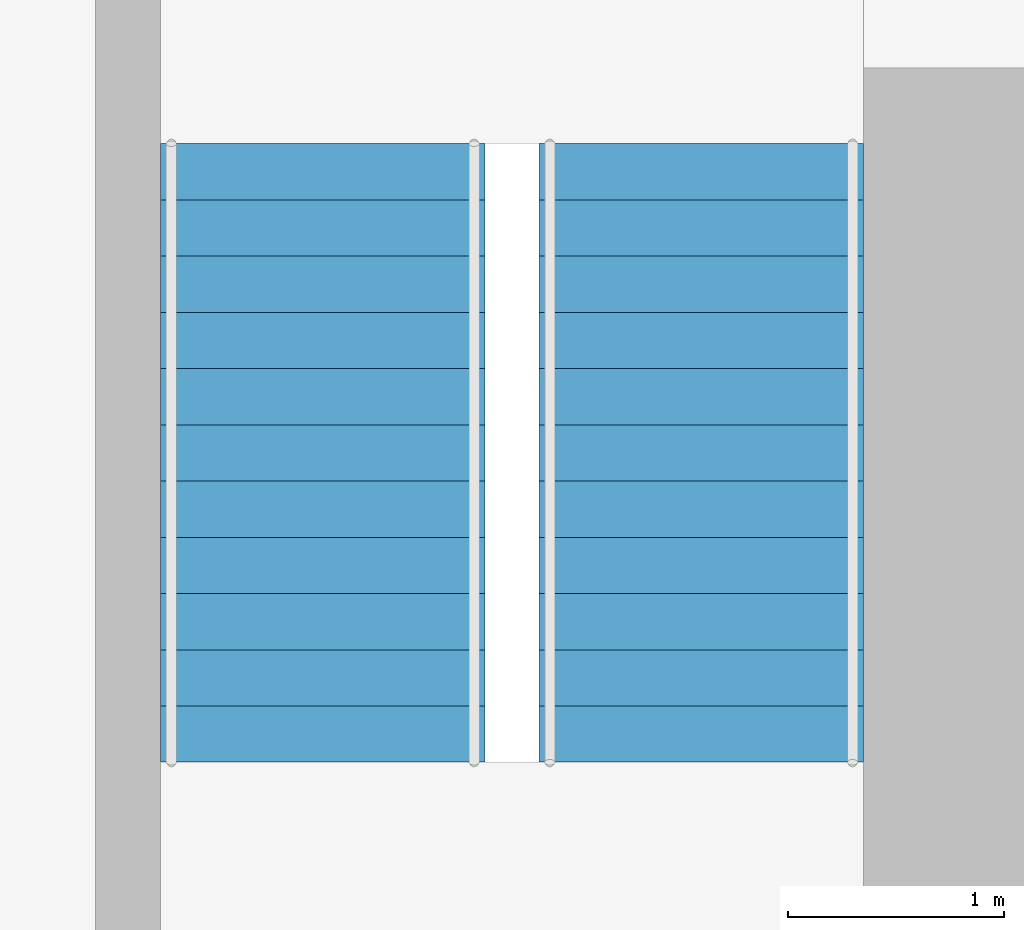
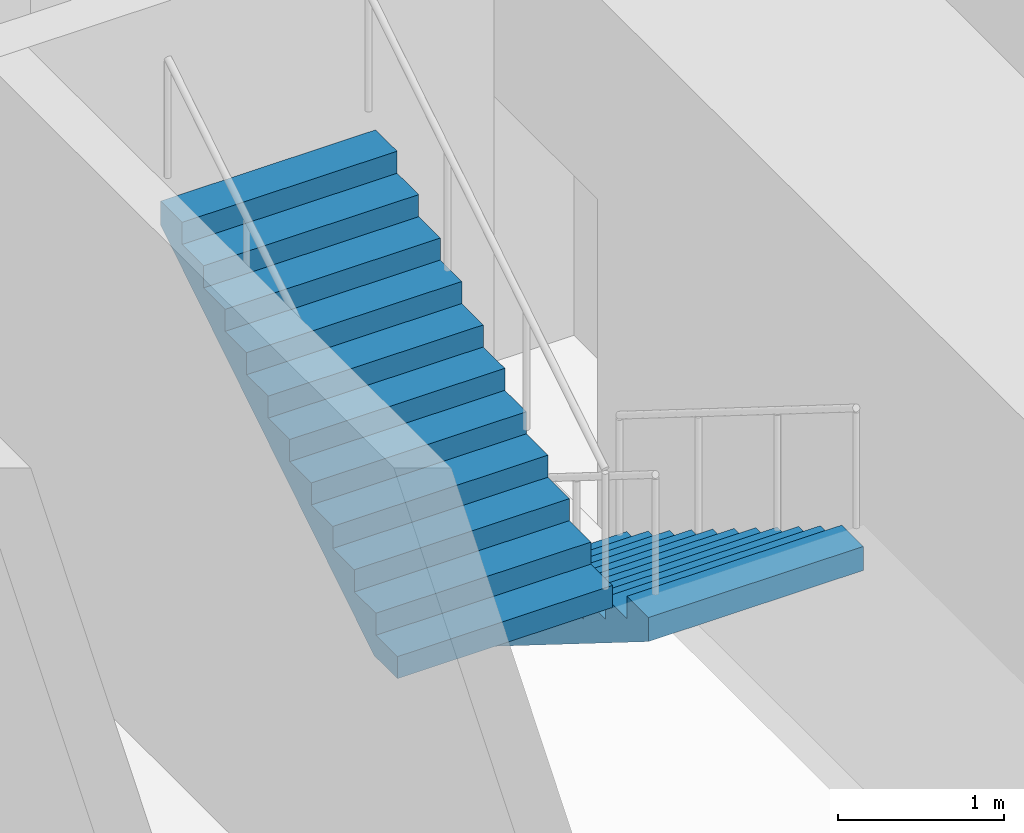
# One storey, part 11 of 12: 2 stair flights, 1 element without a shape of its own.
"""IFC4 building model written with IfcOpenShell, lengths in metres."""

from ifc_helpers import new_model, si_unit, direction, frame, origin, place, context, subcontext, project, spatial, polyline, outline, extrude, material, type_object, element, aggregate, save


model = new_model("IFC4")

# Units and contexts
model_context = context("Model", 3, precision=1e-05, world=origin(), true_north=direction((0.0, 1.0)))
body_context = subcontext(model_context, "Body", "Model", "MODEL_VIEW")
ifc_project = project(units=[si_unit("LENGTHUNIT", "METRE"), si_unit("AREAUNIT", "SQUARE_METRE"), si_unit("VOLUMEUNIT", "CUBIC_METRE"), si_unit("PLANEANGLEUNIT", "RADIAN"), si_unit("MASSUNIT", "GRAM", prefix="KILO")], contexts=[model_context])

# Site, building, storey
site_placement = place(None, origin())
site = spatial("IfcSite", under=ifc_project, at=site_placement, CompositionType="ELEMENT")
building_placement = place(site_placement, origin())
building = spatial("IfcBuilding", under=site, at=building_placement, Name="Highveld Stack Headquarters", CompositionType="ELEMENT")
storey_placement = place(building_placement, frame((0.0, 0.0, 101.60009765625)))
storey = spatial("IfcBuildingStorey", under=building, at=storey_placement, Name="L24", CompositionType="ELEMENT", Elevation=101.60009765625)

# Stair, stair flights
ifc_material_1 = material(Name="Concrete C40/50, precast", Category="concrete")
stair_type = type_object("IfcStairType", Name="STAIR S2 HALF TURN 1500", PredefinedType="HALF_TURN_STAIR", material=ifc_material_1)
stair_placement = place(storey_placement, origin())
stair = element("IfcStair", 1, at=stair_placement, inside=storey, type_object=stair_type, Name="Stair S2 L24", PredefinedType="HALF_TURN_STAIR")
ifc_material_2 = material(Name="Concrete C40/50, precast", Category="concrete")
stair_flight_type = type_object("IfcStairFlightType", Name="STAIR FLIGHT 1500 PRECAST", PredefinedType="STRAIGHT", material=ifc_material_2)
stair_flight_1_placement = place(storey_placement, frame((16.85009765625, 1.25, 0.0), z_axis=(0.0, 0.0, 1.0), x_axis=(0.0, -1.0, 0.0)))
stair_flight_1 = element("IfcStairFlight", 2, at=stair_flight_1_placement, type_object=stair_flight_type, Name="S2 flight 1", NumberOfRisers=12, NumberOfTreads=11, PredefinedType="STRAIGHT", RiserHeight=0.1625, TreadLength=0.26, context=body_context, shape_type="SweptSolid", body=[
    extrude(outline(polyline([(0.0, 0.0), (0.0, 0.16259765625), (0.260009765625, 0.16259765625), (0.260009765625, 0.324951171875), (0.52001953125, 0.324951171875), (0.52001953125, 0.487548828125), (0.780029296875, 0.487548828125), (0.780029296875, 0.64990234375), (1.0400390625, 0.64990234375), (1.0400390625, 0.8125), (1.300048828125, 0.8125), (1.300048828125, 0.97509765625), (1.56005859375, 0.97509765625), (1.56005859375, 1.137451171875), (1.820068359375, 1.137451171875), (1.820068359375, 1.300048828125), (2.080078125, 1.300048828125), (2.080078125, 1.46240234375), (2.340087890625, 1.46240234375), (2.340087890625, 1.625), (2.60009765625, 1.625), (2.60009765625, 1.78759765625), (2.860107421875, 1.78759765625), (2.860107421875, 1.949951171875), (2.860107421875, 1.61083984375), (0.28271484375, 0.0), (0.0, 0.0)])), frame((0.0, 0.75, 0.0), z_axis=(0.0, -1.0, 0.0), x_axis=(1.0, 0.0, 0.0)), (0.0, 0.0, 1.0), 1.5),
])
stair_flight_2_placement = place(storey_placement, frame((15.10009765625, -1.610107421875, 1.949951171875), z_axis=(0.0, 0.0, 1.0), x_axis=(0.0, 1.0, 0.0)))
stair_flight_2 = element("IfcStairFlight", 3, at=stair_flight_2_placement, type_object=stair_flight_type, Name="S2 flight 2", NumberOfRisers=12, NumberOfTreads=11, PredefinedType="STRAIGHT", RiserHeight=0.1625, TreadLength=0.26, context=body_context, shape_type="SweptSolid", body=[
    extrude(outline(polyline([(0.0, 0.0), (0.0, 0.16259765625), (0.260009765625, 0.16259765625), (0.260009765625, 0.324951171875), (0.52001953125, 0.324951171875), (0.52001953125, 0.487548828125), (0.780029296875, 0.487548828125), (0.780029296875, 0.64990234375), (1.0400390625, 0.64990234375), (1.0400390625, 0.8125), (1.300048828125, 0.8125), (1.300048828125, 0.97509765625), (1.56005859375, 0.97509765625), (1.56005859375, 1.137451171875), (1.820068359375, 1.137451171875), (1.820068359375, 1.300048828125), (2.080078125, 1.300048828125), (2.080078125, 1.46240234375), (2.340087890625, 1.46240234375), (2.340087890625, 1.625), (2.60009765625, 1.625), (2.60009765625, 1.78759765625), (2.860107421875, 1.78759765625), (2.860107421875, 1.949951171875), (2.860107421875, 1.61083984375), (0.28271484375, 0.0), (0.0, 0.0)])), frame((0.0, 0.75, 0.0), z_axis=(0.0, -1.0, 0.0), x_axis=(1.0, 0.0, 0.0)), (0.0, 0.0, 1.0), 1.5),
])
aggregate(stair, [stair_flight_1, stair_flight_2])

save(model, "model.ifc")
